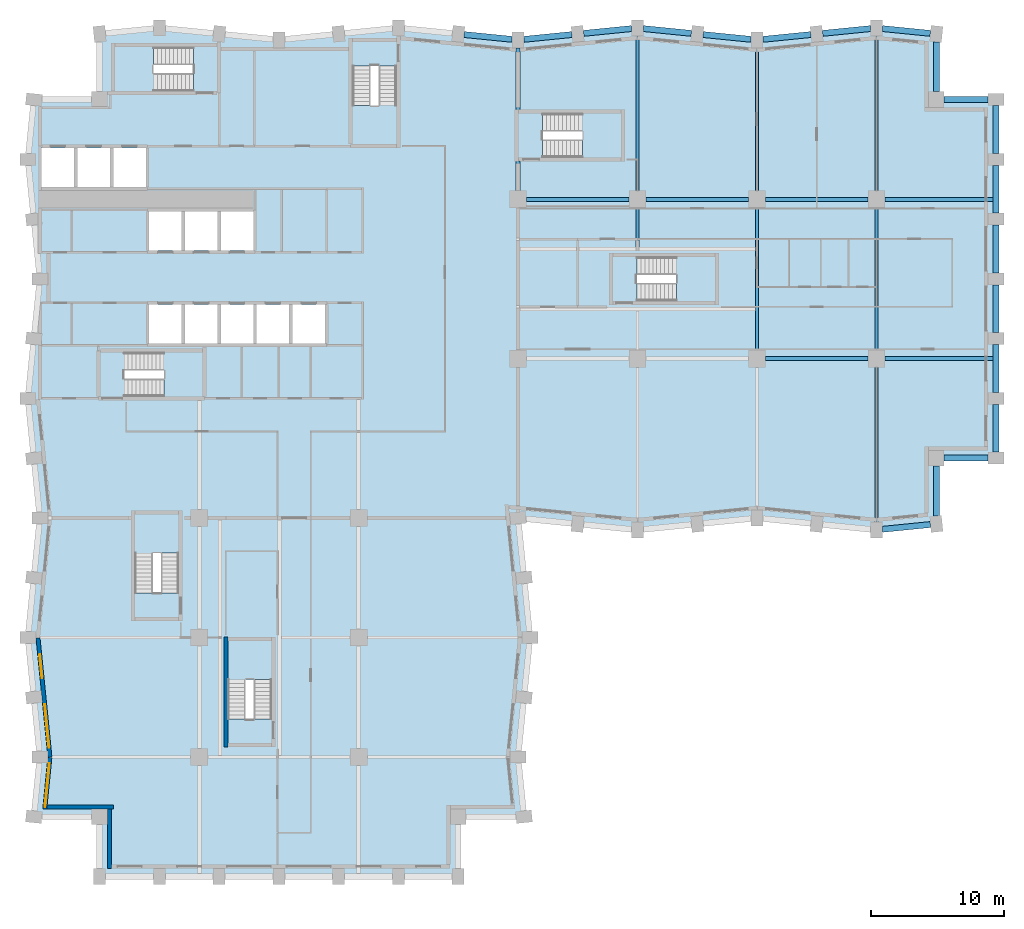
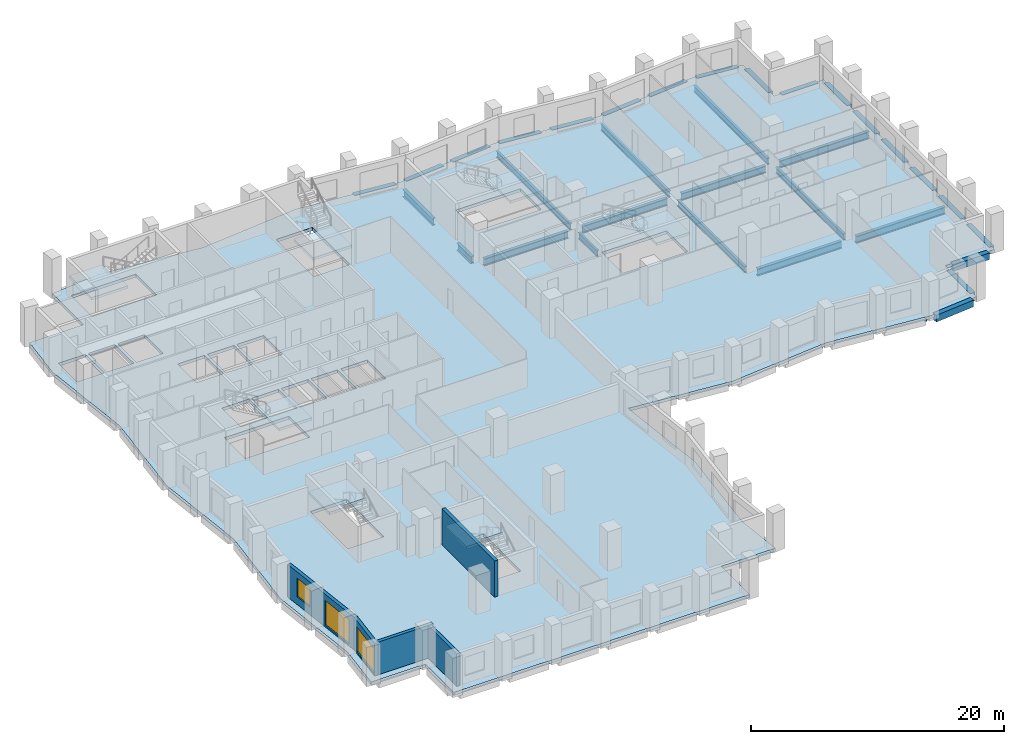
# One storey, part 2 of 11: 34 beams, 8 slabs, 5 walls, 3 windows, 3 openings, 7 elements without a shape of their own.
"""IFC4 building model written with IfcOpenShell, lengths in metres."""

from ifc_helpers import new_model, si_unit, direction, frame, frame_2d, origin, origin_2d, place, context, subcontext, project, spatial, polyline, rectangle, i_section, outline, extrude, material, layer, layer_set, material_profile, profile_set, type_object, element, fill, aggregate, save


model = new_model("IFC4")

# Units and contexts
model_context = context("Model", 3, precision=1e-05, world=origin(), true_north=direction((0.0, 1.0)))
body_context = subcontext(model_context, "Body", "Model", "MODEL_VIEW")
ifc_project = project(units=[si_unit("LENGTHUNIT", "METRE"), si_unit("AREAUNIT", "SQUARE_METRE"), si_unit("VOLUMEUNIT", "CUBIC_METRE"), si_unit("PLANEANGLEUNIT", "RADIAN"), si_unit("MASSUNIT", "GRAM", prefix="KILO")], contexts=[model_context])

# Site, building, storey
site_placement = place(None, origin())
site = spatial("IfcSite", under=ifc_project, at=site_placement, CompositionType="ELEMENT")
building_placement = place(site_placement, origin())
building = spatial("IfcBuilding", under=site, at=building_placement, Name="Brondeck Convention Tower", CompositionType="ELEMENT")
storey_placement = place(building_placement, frame((0.0, 0.0, 118.89990234375)))
storey = spatial("IfcBuildingStorey", under=building, at=storey_placement, Name="L28", CompositionType="ELEMENT", Elevation=118.89990234375)

# Beams
ifc_material_1 = material(Name="Steel S355", Category="steel")
ifc_material_profile_1 = material_profile(ifc_material_1, i_section(OverallWidth=0.219970703125, OverallDepth=0.60009765625, WebThickness=0.011962890625, FlangeThickness=0.01904296875, FilletRadius=0.02392578125, at=origin_2d()), Name="IPE 600")
ifc_profile_set_1 = profile_set([ifc_material_profile_1], Name="Steel S355")
beam_type_1 = type_object("IfcBeamType", Name="Floor beam IPE 600", PredefinedType="BEAM", material=ifc_profile_set_1)
beam_1_placement = place(storey_placement, frame((45.0, 51.64990234375, -0.599853515625), z_axis=(0.0, 1.0, 0.0), x_axis=(-1.0, 0.0, 0.0)))
element("IfcBeam", 1, at=beam_1_placement, inside=storey, type_object=beam_type_1, Name="STR-FB-L28-002", PredefinedType="BEAM", context=body_context, shape_type="SweptSolid", body=[
    extrude(i_section(OverallWidth=0.219970703125, OverallDepth=0.60009765625, WebThickness=0.011962890625, FlangeThickness=0.01904296875, FilletRadius=0.02392578125, at=origin_2d()), origin(), (0.0, 0.0, 1.0), 11.650146484375),
])
beam_2_placement = place(storey_placement, frame((54.0, 39.64990234375, -0.599853515625), z_axis=(0.0, 1.0, 0.0), x_axis=(-1.0, 0.0, 0.0)))
element("IfcBeam", 2, at=beam_2_placement, inside=storey, type_object=beam_type_1, Name="STR-FB-L28-004", PredefinedType="BEAM", context=body_context, shape_type="SweptSolid", body=[
    extrude(i_section(OverallWidth=0.219970703125, OverallDepth=0.60009765625, WebThickness=0.011962890625, FlangeThickness=0.01904296875, FilletRadius=0.02392578125, at=origin_2d()), origin(), (0.0, 0.0, 1.0), 10.7001953125),
])
beam_3_placement = place(storey_placement, frame((54.0, 51.64990234375, -0.599853515625), z_axis=(0.0, 1.0, 0.0), x_axis=(-1.0, 0.0, 0.0)))
element("IfcBeam", 3, at=beam_3_placement, inside=storey, type_object=beam_type_1, Name="STR-FB-L28-005", PredefinedType="BEAM", context=body_context, shape_type="SweptSolid", body=[
    extrude(i_section(OverallWidth=0.219970703125, OverallDepth=0.60009765625, WebThickness=0.011962890625, FlangeThickness=0.01904296875, FilletRadius=0.02392578125, at=origin_2d()), origin(), (0.0, 0.0, 1.0), 10.75),
])
beam_4_placement = place(storey_placement, frame((63.0, 26.699951171875, -0.599853515625), z_axis=(0.0, 1.0, 0.0), x_axis=(-1.0, 0.0, 0.0)))
element("IfcBeam", 4, at=beam_4_placement, inside=storey, type_object=beam_type_1, Name="STR-FB-L28-006", PredefinedType="BEAM", context=body_context, shape_type="SweptSolid", body=[
    extrude(i_section(OverallWidth=0.219970703125, OverallDepth=0.60009765625, WebThickness=0.011962890625, FlangeThickness=0.01904296875, FilletRadius=0.02392578125, at=origin_2d()), origin(), (0.0, 0.0, 1.0), 11.650146484375),
])
beam_5_placement = place(storey_placement, frame((63.0, 39.64990234375, -0.599853515625), z_axis=(0.0, 1.0, 0.0), x_axis=(-1.0, 0.0, 0.0)))
element("IfcBeam", 5, at=beam_5_placement, inside=storey, type_object=beam_type_1, Name="STR-FB-L28-007", PredefinedType="BEAM", context=body_context, shape_type="SweptSolid", body=[
    extrude(i_section(OverallWidth=0.219970703125, OverallDepth=0.60009765625, WebThickness=0.011962890625, FlangeThickness=0.01904296875, FilletRadius=0.02392578125, at=origin_2d()), origin(), (0.0, 0.0, 1.0), 10.7001953125),
])
beam_6_placement = place(storey_placement, frame((63.0, 51.64990234375, -0.599853515625), z_axis=(0.0, 1.0, 0.0), x_axis=(-1.0, 0.0, 0.0)))
element("IfcBeam", 6, at=beam_6_placement, inside=storey, type_object=beam_type_1, Name="STR-FB-L28-008", PredefinedType="BEAM", context=body_context, shape_type="SweptSolid", body=[
    extrude(i_section(OverallWidth=0.219970703125, OverallDepth=0.60009765625, WebThickness=0.011962890625, FlangeThickness=0.01904296875, FilletRadius=0.02392578125, at=origin_2d()), origin(), (0.0, 0.0, 1.0), 11.650146484375),
])
beam_7_placement = place(storey_placement, frame((45.0, 47.39990234375, -0.599853515625), z_axis=(0.0, 1.0, 0.0), x_axis=(-1.0, 0.0, 0.0)))
element("IfcBeam", 7, at=beam_7_placement, inside=storey, type_object=beam_type_1, Name="STR-FB-L28-015", PredefinedType="BEAM", context=body_context, shape_type="SweptSolid", body=[
    extrude(i_section(OverallWidth=0.219970703125, OverallDepth=0.60009765625, WebThickness=0.011962890625, FlangeThickness=0.01904296875, FilletRadius=0.02392578125, at=origin_2d()), origin(), (0.0, 0.0, 1.0), 2.9501953125),
])
ifc_material_profile_2 = material_profile(ifc_material_1, i_section(OverallWidth=0.300048828125, OverallDepth=0.699951171875, WebThickness=0.01708984375, FlangeThickness=0.031982421875, FilletRadius=0.027099609375, at=origin_2d()), Name="HEB 700")
ifc_profile_set_2 = profile_set([ifc_material_profile_2], Name="Steel S355")
beam_type_2 = type_object("IfcBeamType", Name="Girder HEB 700", PredefinedType="BEAM", material=ifc_profile_set_2)
beam_8_placement = place(storey_placement, frame((54.64990234375, 39.0, -0.64990234375), z_axis=(1.0, 0.0, 0.0), x_axis=(0.0, 1.0, 0.0)))
element("IfcBeam", 8, at=beam_8_placement, inside=storey, type_object=beam_type_2, Name="STR-GR-L28-003", PredefinedType="BEAM", context=body_context, shape_type="SweptSolid", body=[
    extrude(i_section(OverallWidth=0.300048828125, OverallDepth=0.699951171875, WebThickness=0.01708984375, FlangeThickness=0.031982421875, FilletRadius=0.027099609375, at=origin_2d()), origin(), (0.0, 0.0, 1.0), 7.7001953125),
])
beam_9_placement = place(storey_placement, frame((63.64990234375, 39.0, -0.64990234375), z_axis=(1.0, 0.0, 0.0), x_axis=(0.0, 1.0, 0.0)))
element("IfcBeam", 9, at=beam_9_placement, inside=storey, type_object=beam_type_2, Name="STR-GR-L28-004", PredefinedType="BEAM", context=body_context, shape_type="SweptSolid", body=[
    extrude(i_section(OverallWidth=0.300048828125, OverallDepth=0.699951171875, WebThickness=0.01708984375, FlangeThickness=0.031982421875, FilletRadius=0.027099609375, at=origin_2d()), origin(), (0.0, 0.0, 1.0), 8.125),
])
for number, where, z_axis, x_axis, name in (
    (10, (36.64990234375, 51.0, -0.64990234375), (1.0, 0.0, 0.0), (0.0, 1.0, 0.0), "STR-GR-L28-005"),
    (11, (45.64990234375, 51.0, -0.64990234375), (1.0, 0.0, 0.0), (0.0, 1.0, 0.0), "STR-GR-L28-006"),
    (12, (54.64990234375, 51.0, -0.64990234375), (1.0, 0.0, 0.0), (0.0, 1.0, 0.0), "STR-GR-L28-007"),
):
    element("IfcBeam", number, at=place(storey_placement, frame(where, z_axis=z_axis, x_axis=x_axis)), inside=storey, type_object=beam_type_2, Name=name, PredefinedType="BEAM", context=body_context, shape_type="SweptSolid", body=[
        extrude(i_section(OverallWidth=0.300048828125, OverallDepth=0.699951171875, WebThickness=0.01708984375, FlangeThickness=0.031982421875, FilletRadius=0.027099609375, at=origin_2d()), origin(), (0.0, 0.0, 1.0), 7.7001953125),
    ])
beam_10_placement = place(storey_placement, frame((63.64990234375, 51.0, -0.64990234375), z_axis=(1.0, 0.0, 0.0), x_axis=(0.0, 1.0, 0.0)))
element("IfcBeam", 13, at=beam_10_placement, inside=storey, type_object=beam_type_2, Name="STR-GR-L28-008", PredefinedType="BEAM", context=body_context, shape_type="SweptSolid", body=[
    extrude(i_section(OverallWidth=0.300048828125, OverallDepth=0.699951171875, WebThickness=0.01708984375, FlangeThickness=0.031982421875, FilletRadius=0.027099609375, at=origin_2d()), origin(), (0.0, 0.0, 1.0), 8.125),
])
beam_11_placement = place(storey_placement, frame((36.0, 51.64990234375, -0.64990234375), z_axis=(0.0, 1.0, 0.0), x_axis=(-1.0, 0.0, 0.0)))
element("IfcBeam", 14, at=beam_11_placement, inside=storey, type_object=beam_type_2, Name="STR-GR-L28-011", PredefinedType="BEAM", context=body_context, shape_type="SweptSolid", body=[
    extrude(i_section(OverallWidth=0.300048828125, OverallDepth=0.699951171875, WebThickness=0.01708984375, FlangeThickness=0.031982421875, FilletRadius=0.027099609375, at=origin_2d()), origin(), (0.0, 0.0, 1.0), 2.22998046875),
])
beam_12_placement = place(storey_placement, frame((36.0, 57.719970703125, -0.64990234375), z_axis=(0.0, 1.0, 0.0), x_axis=(-1.0, 0.0, 0.0)))
element("IfcBeam", 15, at=beam_12_placement, inside=storey, type_object=beam_type_2, Name="STR-GR-L28-012", PredefinedType="BEAM", context=body_context, shape_type="SweptSolid", body=[
    extrude(i_section(OverallWidth=0.300048828125, OverallDepth=0.699951171875, WebThickness=0.01708984375, FlangeThickness=0.031982421875, FilletRadius=0.027099609375, at=origin_2d()), origin(), (0.0, 0.0, 1.0), 4.679931640625),
])
ifc_material_2 = material(Name="Concrete C70/85", Category="concrete")
ifc_material_profile_3 = material_profile(ifc_material_2, rectangle(XDim=0.449951171875, YDim=0.64990234375, at=origin_2d()), Name="Precast spandrel 450x650 Concrete C70/85")
ifc_profile_set_3 = profile_set([ifc_material_profile_3], Name="Concrete C70/85")
beam_type_3 = type_object("IfcBeamType", Name="Precast spandrel 450x650 Concrete C70/85", PredefinedType="SPANDREL", material=ifc_profile_set_3)
beam_13_placement = place(storey_placement, frame((63.449951171875, 26.14501953125, -0.324951171875), z_axis=(0.995040528141, 0.099470334057, 0.0), x_axis=(-0.099470334057, 0.995040528141, 0.0)))
element("IfcBeam", 16, at=beam_13_placement, inside=storey, type_object=beam_type_3, Name="STR-SP-L28-020", PredefinedType="SPANDREL", context=body_context, shape_type="SweptSolid", body=[
    extrude(rectangle(XDim=0.449951171875, YDim=0.64990234375, at=origin_2d()), origin(), (0.0, 0.0, 1.0), 3.620361328125),
])
beam_14_placement = place(storey_placement, frame((67.5, 27.153076171875, -0.324951171875), z_axis=(0.0, 1.0, 0.0), x_axis=(-1.0, 0.0, 0.0)))
element("IfcBeam", 17, at=beam_14_placement, inside=storey, type_object=beam_type_3, Name="STR-SP-L28-021", PredefinedType="SPANDREL", context=body_context, shape_type="SweptSolid", body=[
    extrude(rectangle(XDim=0.449951171875, YDim=0.64990234375, at=origin_2d()), origin(), (0.0, 0.0, 1.0), 3.746826171875),
])
beam_15_placement = place(storey_placement, frame((68.10009765625, 31.5, -0.324951171875), z_axis=(1.0, 0.0, 0.0), x_axis=(0.0, 1.0, 0.0)))
element("IfcBeam", 18, at=beam_15_placement, inside=storey, type_object=beam_type_3, Name="STR-SP-L28-022", PredefinedType="SPANDREL", context=body_context, shape_type="SweptSolid", body=[
    extrude(rectangle(XDim=0.449951171875, YDim=0.64990234375, at=origin_2d()), origin(), (0.0, 0.0, 1.0), 3.2998046875),
])
for number, where, z_axis, x_axis, name in (
    (19, (72.0, 31.949951171875, -0.324951171875), (0.0, 1.0, 0.0), (-1.0, 0.0, 0.0), "STR-SP-L28-023"),
    (20, (72.0, 36.449951171875, -0.324951171875), (0.0, 1.0, 0.0), (-1.0, 0.0, 0.0), "STR-SP-L28-024"),
    (21, (72.0, 40.949951171875, -0.324951171875), (0.0, 1.0, 0.0), (-1.0, 0.0, 0.0), "STR-SP-L28-025"),
    (22, (72.0, 45.449951171875, -0.324951171875), (0.0, 1.0, 0.0), (-1.0, 0.0, 0.0), "STR-SP-L28-026"),
    (23, (72.0, 49.949951171875, -0.324951171875), (0.0, 1.0, 0.0), (-1.0, 0.0, 0.0), "STR-SP-L28-027"),
    (24, (72.0, 54.449951171875, -0.324951171875), (0.0, 1.0, 0.0), (-1.0, 0.0, 0.0), "STR-SP-L28-028"),
):
    element("IfcBeam", number, at=place(storey_placement, frame(where, z_axis=z_axis, x_axis=x_axis)), inside=storey, type_object=beam_type_3, Name=name, PredefinedType="SPANDREL", context=body_context, shape_type="SweptSolid", body=[
        extrude(rectangle(XDim=0.449951171875, YDim=0.64990234375, at=origin_2d()), origin(), (0.0, 0.0, 1.0), 3.60009765625),
    ])
beam_16_placement = place(storey_placement, frame((71.39990234375, 58.5, -0.324951171875), z_axis=(-1.0, 0.0, 0.0), x_axis=(0.0, -1.0, 0.0)))
element("IfcBeam", 25, at=beam_16_placement, inside=storey, type_object=beam_type_3, Name="STR-SP-L28-029", PredefinedType="SPANDREL", context=body_context, shape_type="SweptSolid", body=[
    extrude(rectangle(XDim=0.449951171875, YDim=0.64990234375, at=origin_2d()), origin(), (0.0, 0.0, 1.0), 3.2998046875),
])
beam_17_placement = place(storey_placement, frame((67.5, 59.10009765625, -0.324951171875), z_axis=(0.0, 1.0, 0.0), x_axis=(-1.0, 0.0, 0.0)))
element("IfcBeam", 26, at=beam_17_placement, inside=storey, type_object=beam_type_3, Name="STR-SP-L28-030", PredefinedType="SPANDREL", context=body_context, shape_type="SweptSolid", body=[
    extrude(rectangle(XDim=0.449951171875, YDim=0.64990234375, at=origin_2d()), origin(), (0.0, 0.0, 1.0), 3.746826171875),
])
for number, where, z_axis, x_axis, name in (
    (27, (67.05224609375, 63.494873046875, -0.324951171875), (-0.995040528141, 0.099470334057, 0.0), (-0.099470334057, -0.995040528141, 0.0), "STR-SP-L28-031"),
    (28, (62.550048828125, 63.85498046875, -0.324951171875), (-0.995040528141, -0.099470334057, 0.0), (0.099470334057, -0.995040528141, 0.0), "STR-SP-L28-032"),
    (29, (58.05224609375, 63.4052734375, -0.324951171875), (-0.995033851182, -0.099537103649, 0.0), (0.099537103649, -0.995033851182, 0.0), "STR-SP-L28-033"),
    (30, (53.550048828125, 63.044921875, -0.324951171875), (-0.995033851182, 0.099537103649, 0.0), (-0.099537103649, -0.995033851182, 0.0), "STR-SP-L28-034"),
    (31, (49.05224609375, 63.494873046875, -0.324951171875), (-0.995040528141, 0.099470334057, 0.0), (-0.099470334057, -0.995040528141, 0.0), "STR-SP-L28-035"),
    (32, (44.550048828125, 63.85498046875, -0.324951171875), (-0.995040528141, -0.099470334057, 0.0), (0.099470334057, -0.995040528141, 0.0), "STR-SP-L28-036"),
    (33, (40.05224609375, 63.4052734375, -0.324951171875), (-0.995033851182, -0.099537103649, 0.0), (0.099537103649, -0.995033851182, 0.0), "STR-SP-L28-037"),
    (34, (35.550048828125, 63.044921875, -0.324951171875), (-0.995033851182, 0.099537103649, 0.0), (-0.099537103649, -0.995033851182, 0.0), "STR-SP-L28-038"),
):
    element("IfcBeam", number, at=place(storey_placement, frame(where, z_axis=z_axis, x_axis=x_axis)), inside=storey, type_object=beam_type_3, Name=name, PredefinedType="SPANDREL", context=body_context, shape_type="SweptSolid", body=[
        extrude(rectangle(XDim=0.449951171875, YDim=0.64990234375, at=origin_2d()), origin(), (0.0, 0.0, 1.0), 3.620361328125),
    ])

# Slab
ifc_material_3 = material(Name="Concrete C35/45", Category="concrete")
ifc_layer_1 = layer(ifc_material_3, 0.300048828125)
ifc_layer_set_1 = layer_set([ifc_layer_1], Name="Composite floor slab 300")
slab_type_1 = type_object("IfcSlabType", Name="Composite floor slab 300", PredefinedType="FLOOR", material=ifc_layer_set_1)
slab_1_placement = place(storey_placement, frame((0.0, 0.0, -0.2998046875)))
element("IfcSlab", 35, at=slab_1_placement, inside=storey, type_object=slab_type_1, Name="STR-SL-L28", PredefinedType="FLOOR", context=body_context, shape_type="SweptSolid", body=[
    extrude(outline(polyline([(4.5, 4.5), (-0.449951171875, 4.5), (0.0, 9.0), (-0.89990234375, 18.0), (0.0, 27.0), (-0.89990234375, 36.0), (0.0, 45.0), (-0.89990234375, 54.0), (-0.449951171875, 58.5), (4.5, 58.5), (4.5, 63.449951171875), (9.0, 63.89990234375), (18.0, 63.0), (27.0, 63.89990234375), (36.0, 63.0), (45.0, 63.89990234375), (54.0, 63.0), (63.0, 63.89990234375), (67.5, 63.449951171875), (67.5, 58.5), (72.0, 58.5), (72.0, 31.5), (67.5, 31.5), (67.5, 26.550048828125), (63.0, 26.10009765625), (54.0, 27.0), (45.0, 26.10009765625), (36.0, 27.0), (36.89990234375, 18.0), (36.0, 9.0), (36.449951171875, 4.5), (31.5, 4.5), (31.5, 0.0), (4.5, 0.0), (4.5, 4.5)]), holes=[polyline([(10.447998046875, 27.248046875), (7.152099609375, 27.248046875), (7.152099609375, 21.35205078125), (10.447998046875, 21.35205078125), (10.447998046875, 27.248046875)]), polyline([(12.248046875, 36.152099609375), (12.248046875, 39.447998046875), (6.35205078125, 39.447998046875), (6.35205078125, 36.152099609375), (12.248046875, 36.152099609375)]), polyline([(10.675048828125, 40.125), (10.675048828125, 43.074951171875), (8.22509765625, 43.074951171875), (8.22509765625, 40.125), (10.675048828125, 40.125)]), polyline([(10.675048828125, 47.125), (10.675048828125, 50.074951171875), (8.22509765625, 50.074951171875), (8.22509765625, 47.125), (10.675048828125, 47.125)]), polyline([(13.375, 47.125), (13.375, 50.074951171875), (10.925048828125, 50.074951171875), (10.925048828125, 47.125), (13.375, 47.125)]), polyline([(2.574951171875, 51.925048828125), (2.574951171875, 54.875), (0.125, 54.875), (0.125, 51.925048828125), (2.574951171875, 51.925048828125)]), polyline([(5.27490234375, 51.925048828125), (5.27490234375, 54.875), (2.824951171875, 54.875), (2.824951171875, 51.925048828125), (5.27490234375, 51.925048828125)]), polyline([(5.52490234375, 51.925048828125), (7.97509765625, 51.925048828125), (7.97509765625, 54.875), (5.52490234375, 54.875), (5.52490234375, 51.925048828125)]), polyline([(11.548095703125, 62.447998046875), (5.652099609375, 62.447998046875), (5.652099609375, 59.152099609375), (11.548095703125, 59.152099609375), (11.548095703125, 62.447998046875)]), polyline([(17.447998046875, 17.748046875), (14.152099609375, 17.748046875), (14.152099609375, 11.85205078125), (17.447998046875, 11.85205078125), (17.447998046875, 17.748046875)]), polyline([(13.375, 40.125), (13.375, 43.074951171875), (10.925048828125, 43.074951171875), (10.925048828125, 40.125), (13.375, 40.125)]), polyline([(16.074951171875, 40.125), (16.074951171875, 43.074951171875), (13.625, 43.074951171875), (13.625, 40.125), (16.074951171875, 40.125)]), polyline([(18.77490234375, 40.125), (18.77490234375, 43.074951171875), (16.324951171875, 43.074951171875), (16.324951171875, 40.125), (18.77490234375, 40.125)]), polyline([(21.47509765625, 40.125), (21.47509765625, 43.074951171875), (19.02490234375, 43.074951171875), (19.02490234375, 40.125), (21.47509765625, 40.125)]), polyline([(50.847900390625, 43.35205078125), (50.847900390625, 46.64794921875), (44.951904296875, 46.64794921875), (44.951904296875, 43.35205078125), (50.847900390625, 43.35205078125)]), polyline([(16.074951171875, 47.125), (16.074951171875, 50.074951171875), (13.625, 50.074951171875), (13.625, 47.125), (16.074951171875, 47.125)]), polyline([(37.85205078125, 54.152099609375), (43.748046875, 54.152099609375), (43.748046875, 57.447998046875), (37.85205078125, 57.447998046875), (37.85205078125, 54.152099609375)]), polyline([(23.552001953125, 61.048095703125), (23.552001953125, 55.152099609375), (26.847900390625, 55.152099609375), (26.847900390625, 61.048095703125), (23.552001953125, 61.048095703125)])]), origin(), (0.0, 0.0, 1.0), 0.2998046875),
])

# Stair, slab
ifc_material_4 = material(Name="Precast concrete C50/60", Category="concrete")
stair_type = type_object("IfcStairType", Name="Core stair 22 risers 172.73 mm riser 300 mm going 1350 wide", PredefinedType="HALF_TURN_STAIR", material=ifc_material_4)
stair_1_placement = place(storey_placement, origin())
stair_1 = element("IfcStair", 36, at=stair_1_placement, inside=storey, type_object=stair_type, Name="ST-1 L28 stair", PredefinedType="HALF_TURN_STAIR")
ifc_layer_2 = layer(ifc_material_4, 0.25)
ifc_layer_set_2 = layer_set([ifc_layer_2], Name="Core stair landing 250 Precast concrete C50/60")
slab_type_2 = type_object("IfcSlabType", Name="Core stair landing 250 Precast concrete C50/60", PredefinedType="LANDING", material=ifc_layer_set_2)
slab_2_placement = place(storey_placement, frame((0.0, 0.0, 1.650146484375)))
slab_2 = element("IfcSlab", 37, at=slab_2_placement, type_object=slab_type_2, Name="ST-1 landing 1", PredefinedType="LANDING", context=body_context, shape_type="SweptSolid", body=[
    extrude(outline(polyline([(9.347900390625, 37.5), (9.35009765625, 37.5), (9.35009765625, 38.10009765625), (9.050048828125, 38.10009765625), (9.050048828125, 39.570068359375), (12.3701171875, 39.570068359375), (12.3701171875, 36.030029296875), (9.347900390625, 36.030029296875), (9.347900390625, 37.5)])), origin(), (0.0, 0.0, 1.0), 0.25),
])
aggregate(stair_1, [slab_2])

stair_2_placement = place(storey_placement, origin())
stair_2 = element("IfcStair", 38, at=stair_2_placement, inside=storey, type_object=stair_type, Name="ST-2 L28 stair", PredefinedType="HALF_TURN_STAIR")
slab_3_placement = place(storey_placement, frame((0.0, 0.0, 1.650146484375)))
slab_3 = element("IfcSlab", 39, at=slab_3_placement, type_object=slab_type_2, Name="ST-2 landing 1", PredefinedType="LANDING", context=body_context, shape_type="SweptSolid", body=[
    extrude(outline(polyline([(23.429931640625, 58.052001953125), (24.89990234375, 58.052001953125), (24.89990234375, 58.050048828125), (25.5, 58.050048828125), (25.5, 58.35009765625), (26.969970703125, 58.35009765625), (26.969970703125, 55.030029296875), (23.429931640625, 55.030029296875), (23.429931640625, 58.052001953125)])), origin(), (0.0, 0.0, 1.0), 0.25),
])
aggregate(stair_2, [slab_3])

stair_3_placement = place(storey_placement, origin())
stair_3 = element("IfcStair", 40, at=stair_3_placement, inside=storey, type_object=stair_type, Name="ST-3 L28 stair", PredefinedType="HALF_TURN_STAIR")
slab_4_placement = place(storey_placement, frame((0.0, 0.0, 1.650146484375)))
slab_4 = element("IfcSlab", 41, at=slab_4_placement, type_object=slab_type_2, Name="ST-3 landing 1", PredefinedType="LANDING", context=body_context, shape_type="SweptSolid", body=[
    extrude(outline(polyline([(8.85009765625, 60.5), (8.85009765625, 59.030029296875), (5.530029296875, 59.030029296875), (5.530029296875, 62.570068359375), (8.552001953125, 62.570068359375), (8.552001953125, 61.10009765625), (8.550048828125, 61.10009765625), (8.550048828125, 60.5), (8.85009765625, 60.5)])), origin(), (0.0, 0.0, 1.0), 0.25),
])
aggregate(stair_3, [slab_4])

stair_4_placement = place(storey_placement, origin())
stair_4 = element("IfcStair", 42, at=stair_4_placement, inside=storey, type_object=stair_type, Name="ST-AE L28 stair", PredefinedType="HALF_TURN_STAIR")
slab_5_placement = place(storey_placement, frame((0.0, 0.0, 1.650146484375)))
slab_5 = element("IfcSlab", 43, at=slab_5_placement, type_object=slab_type_2, Name="ST-AE landing 1", PredefinedType="LANDING", context=body_context, shape_type="SweptSolid", body=[
    extrude(outline(polyline([(40.847900390625, 55.5), (40.85009765625, 55.5), (40.85009765625, 56.10009765625), (40.550048828125, 56.10009765625), (40.550048828125, 57.570068359375), (43.8701171875, 57.570068359375), (43.8701171875, 54.030029296875), (40.847900390625, 54.030029296875), (40.847900390625, 55.5)])), origin(), (0.0, 0.0, 1.0), 0.25),
])
aggregate(stair_4, [slab_5])

stair_5_placement = place(storey_placement, origin())
stair_5 = element("IfcStair", 44, at=stair_5_placement, inside=storey, type_object=stair_type, Name="ST-BE L28 stair", PredefinedType="HALF_TURN_STAIR")
slab_6_placement = place(storey_placement, frame((0.0, 0.0, 1.650146484375)))
slab_6 = element("IfcSlab", 45, at=slab_6_placement, type_object=slab_type_2, Name="ST-BE landing 1", PredefinedType="LANDING", context=body_context, shape_type="SweptSolid", body=[
    extrude(outline(polyline([(7.030029296875, 24.050048828125), (7.030029296875, 27.3701171875), (10.570068359375, 27.3701171875), (10.570068359375, 24.347900390625), (9.10009765625, 24.347900390625), (9.10009765625, 24.35009765625), (8.5, 24.35009765625), (8.5, 24.050048828125), (7.030029296875, 24.050048828125)])), origin(), (0.0, 0.0, 1.0), 0.25),
])
aggregate(stair_5, [slab_6])

stair_6_placement = place(storey_placement, origin())
stair_6 = element("IfcStair", 46, at=stair_6_placement, inside=storey, type_object=stair_type, Name="ST-AF L28 stair", PredefinedType="HALF_TURN_STAIR")
slab_7_placement = place(storey_placement, frame((0.0, 0.0, 1.650146484375)))
slab_7 = element("IfcSlab", 47, at=slab_7_placement, type_object=slab_type_2, Name="ST-AF landing 1", PredefinedType="LANDING", context=body_context, shape_type="SweptSolid", body=[
    extrude(outline(polyline([(47.947998046875, 44.699951171875), (47.949951171875, 44.699951171875), (47.949951171875, 45.300048828125), (47.64990234375, 45.300048828125), (47.64990234375, 46.77001953125), (50.969970703125, 46.77001953125), (50.969970703125, 43.22998046875), (47.947998046875, 43.22998046875), (47.947998046875, 44.699951171875)])), origin(), (0.0, 0.0, 1.0), 0.25),
])
aggregate(stair_6, [slab_7])

stair_7_placement = place(storey_placement, origin())
stair_7 = element("IfcStair", 48, at=stair_7_placement, inside=storey, type_object=stair_type, Name="ST-BF L28 stair", PredefinedType="HALF_TURN_STAIR")
slab_8_placement = place(storey_placement, frame((0.0, 0.0, 1.650146484375)))
slab_8 = element("IfcSlab", 49, at=slab_8_placement, type_object=slab_type_2, Name="ST-BF landing 1", PredefinedType="LANDING", context=body_context, shape_type="SweptSolid", body=[
    extrude(outline(polyline([(14.030029296875, 14.550048828125), (14.030029296875, 17.8701171875), (17.570068359375, 17.8701171875), (17.570068359375, 14.847900390625), (16.10009765625, 14.847900390625), (16.10009765625, 14.85009765625), (15.5, 14.85009765625), (15.5, 14.550048828125), (14.030029296875, 14.550048828125)])), origin(), (0.0, 0.0, 1.0), 0.25),
])
aggregate(stair_7, [slab_8])

# Wall, openings, windows
ifc_material_5 = material(Name="Precast concrete C50/60 bronze finish", Category="concrete")
ifc_layer_3 = layer(ifc_material_5, 0.070068359375, Name="Bronze precast facing")
ifc_material_6 = material(Name="Mineral wool")
ifc_layer_4 = layer(ifc_material_6, 0.159912109375, Name="Insulation")
ifc_layer_5 = layer(ifc_material_3, 0.070068359375, Name="Backing")
ifc_layer_set_3 = layer_set([ifc_layer_3, ifc_layer_4, ifc_layer_5], Name="External infill wall, precast concrete C50/60 bronze facing")
wall_type_1 = type_object("IfcWallType", Name="External infill wall, precast concrete C50/60 bronze facing", PredefinedType="SOLIDWALL", material=ifc_layer_set_3)
wall_1_placement = place(storey_placement, frame((0.755126953125, 8.985107421875, 0.0), z_axis=(0.0, 0.0, 1.0), x_axis=(-0.099495688264, 0.995037993253, 0.0)))
wall_1 = element("IfcWall", 50, at=wall_1_placement, inside=storey, type_object=wall_type_1, Name="ENV-EW-L28-P0-B-W-10", PredefinedType="SOLIDWALL", context=body_context, shape_type="SweptSolid", body=[
    extrude(rectangle(XDim=9.030029296875, YDim=0.300048828125, at=frame_2d((4.51513671875, 0.0))), origin(), (0.0, 0.0, 1.0), 3.150146484375),
])
opening_1_placement = place(wall_1_placement, frame((0.701171875, 0.0, 0.14990234375)))
opening_1 = element("IfcOpeningElement", 51, at=opening_1_placement, cuts=wall_1, Name="Opening W9", PredefinedType="OPENING", context=body_context, shape_type="SweptSolid", body=[
    extrude(rectangle(XDim=3.300048828125, YDim=2.39990234375, at=frame_2d((1.64990234375, 1.199951171875))), frame((0.0, 0.159912109375, 0.0), z_axis=(0.0, -1.0, 0.0), x_axis=(1.0, 0.0, 0.0)), (0.0, 0.0, 1.0), 0.320068359375),
])
opening_2_placement = place(wall_1_placement, frame((5.9736328125, 0.0, 0.75)))
opening_2 = element("IfcOpeningElement", 52, at=opening_2_placement, cuts=wall_1, Name="Opening W10", PredefinedType="OPENING", context=body_context, shape_type="SweptSolid", body=[
    extrude(rectangle(XDim=1.800048828125, YDim=1.800048828125, at=frame_2d((0.89990234375, 0.89990234375))), frame((0.0, 0.159912109375, 0.0), z_axis=(0.0, -1.0, 0.0), x_axis=(1.0, 0.0, 0.0)), (0.0, 0.0, 1.0), 0.320068359375),
])
ifc_material_7 = material(Name="Bronze tinted double glazing", Category="glass")
window_type_1 = type_object("IfcWindowType", Name="Glazed flute window, bronze tinted", PartitioningType="SINGLE_PANEL", PredefinedType="WINDOW", material=ifc_material_7)
window_1_placement = place(opening_1_placement, origin())
window_1 = element("IfcWindow", 53, at=window_1_placement, inside=storey, type_object=window_type_1, Name="ENV-WN-L28-P0-B-W-11", OverallHeight=2.39990234375, OverallWidth=3.300048828125, PartitioningType="SINGLE_PANEL", PredefinedType="WINDOW", context=body_context, shape_type="SweptSolid", body=[
    extrude(rectangle(XDim=3.300048828125, YDim=2.39990234375, at=frame_2d((1.64990234375, 1.199951171875))), frame((0.0, 0.030029296875, 0.0), z_axis=(0.0, -1.0, 0.0), x_axis=(1.0, 0.0, 0.0)), (0.0, 0.0, 1.0), 0.06005859375),
])
fill(opening_1, window_1)
window_type_2 = type_object("IfcWindowType", Name="Punched window, bronze tinted", PartitioningType="SINGLE_PANEL", PredefinedType="WINDOW", material=ifc_material_7)
window_2_placement = place(opening_2_placement, origin())
window_2 = element("IfcWindow", 54, at=window_2_placement, inside=storey, type_object=window_type_2, Name="ENV-WN-L28-P0-B-W-10", OverallHeight=1.800048828125, OverallWidth=1.800048828125, PartitioningType="SINGLE_PANEL", PredefinedType="WINDOW", context=body_context, shape_type="SweptSolid", body=[
    extrude(rectangle(XDim=1.800048828125, YDim=1.800048828125, at=frame_2d((0.89990234375, 0.89990234375))), frame((0.0, 0.030029296875, 0.0), z_axis=(0.0, -1.0, 0.0), x_axis=(1.0, 0.0, 0.0)), (0.0, 0.0, 1.0), 0.06005859375),
])
fill(opening_2, window_2)

# Wall, opening, window
wall_2_placement = place(storey_placement, frame((0.3623046875, 5.085205078125, 0.0), z_axis=(0.0, 0.0, 1.0), x_axis=(0.099485145752, 0.995039047362, 0.0)))
wall_2 = element("IfcWall", 55, at=wall_2_placement, inside=storey, type_object=wall_type_1, Name="ENV-EW-L28-P0-B-W-12", PredefinedType="SOLIDWALL", context=body_context, shape_type="SweptSolid", body=[
    extrude(rectangle(XDim=3.904296875, YDim=0.300048828125, at=frame_2d((1.9521484375, 0.0))), origin(), (0.0, 0.0, 1.0), 3.150146484375),
])
opening_3_placement = place(wall_2_placement, frame((0.14990234375, 0.0, 0.14990234375)))
opening_3 = element("IfcOpeningElement", 56, at=opening_3_placement, cuts=wall_2, Name="Opening W9", PredefinedType="OPENING", context=body_context, shape_type="SweptSolid", body=[
    extrude(rectangle(XDim=3.300048828125, YDim=2.39990234375, at=frame_2d((1.64990234375, 1.199951171875))), frame((0.0, 0.159912109375, 0.0), z_axis=(0.0, -1.0, 0.0), x_axis=(1.0, 0.0, 0.0)), (0.0, 0.0, 1.0), 0.320068359375),
])
window_3_placement = place(opening_3_placement, origin())
window_3 = element("IfcWindow", 57, at=window_3_placement, inside=storey, type_object=window_type_1, Name="ENV-WN-L28-P0-B-W-12", OverallHeight=2.39990234375, OverallWidth=3.300048828125, PartitioningType="SINGLE_PANEL", PredefinedType="WINDOW", context=body_context, shape_type="SweptSolid", body=[
    extrude(rectangle(XDim=3.300048828125, YDim=2.39990234375, at=frame_2d((1.64990234375, 1.199951171875))), frame((0.0, 0.030029296875, 0.0), z_axis=(0.0, -1.0, 0.0), x_axis=(1.0, 0.0, 0.0)), (0.0, 0.0, 1.0), 0.06005859375),
])
fill(opening_3, window_3)

# Walls
wall_3_placement = place(storey_placement, frame((5.550048828125, 5.25, 0.0), z_axis=(0.0, 0.0, 1.0), x_axis=(-1.0, 0.0, 0.0)))
element("IfcWall", 58, at=wall_3_placement, inside=storey, type_object=wall_type_1, Name="ENV-EW-L28-P0-NC-SWB0-01", PredefinedType="SOLIDWALL", context=body_context, shape_type="SweptSolid", body=[
    extrude(rectangle(XDim=5.015380859375, YDim=0.300048828125, at=frame_2d((2.5078125, 0.0))), origin(), (0.0, 0.0, 1.0), 3.150146484375),
])
wall_4_placement = place(storey_placement, frame((5.25, 0.60009765625, 0.0), z_axis=(0.0, 0.0, 1.0), x_axis=(0.0, 1.0, 0.0)))
element("IfcWall", 59, at=wall_4_placement, inside=storey, type_object=wall_type_1, Name="ENV-EW-L28-P0-NC-SWB0-02", PredefinedType="SOLIDWALL", context=body_context, shape_type="SweptSolid", body=[
    extrude(rectangle(XDim=4.5, YDim=0.300048828125, at=frame_2d((2.25, 0.0))), origin(), (0.0, 0.0, 1.0), 3.150146484375),
])
ifc_layer_6 = layer(ifc_material_2, 0.300048828125)
ifc_layer_set_4 = layer_set([ifc_layer_6], Name="Stair enclosure wall 300 Concrete C70/85")
wall_type_2 = type_object("IfcWallType", Name="Stair enclosure wall 300 Concrete C70/85", PredefinedType="SHEAR", material=ifc_layer_set_4)
wall_5_placement = place(storey_placement, frame((14.0, 9.75, 0.0), z_axis=(0.0, 0.0, 1.0), x_axis=(0.0, 1.0, 0.0)))
element("IfcWall", 60, at=wall_5_placement, inside=storey, type_object=wall_type_2, Name="L28 core wall", PredefinedType="SHEAR", context=body_context, shape_type="SweptSolid", body=[
    extrude(rectangle(XDim=8.300048828125, YDim=0.300048828125, at=frame_2d((4.14990234375, 0.0))), origin(), (0.0, 0.0, 1.0), 3.5),
])

save(model, "model.ifc")
